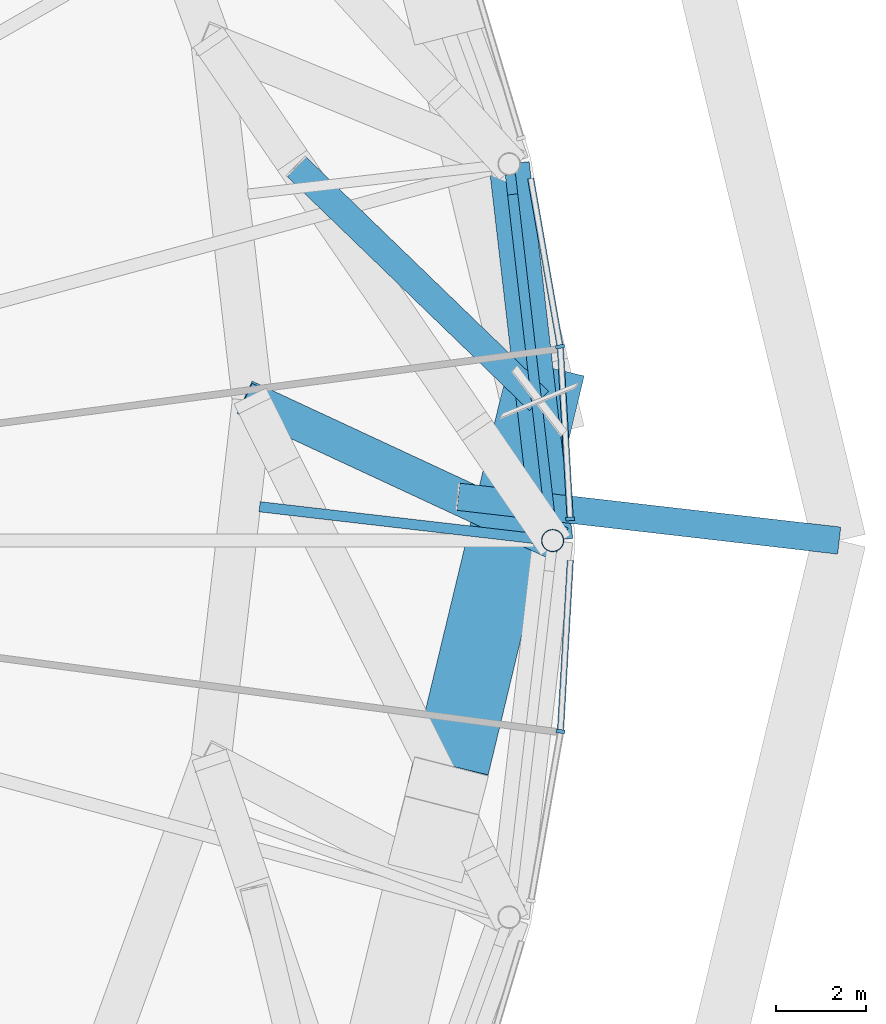
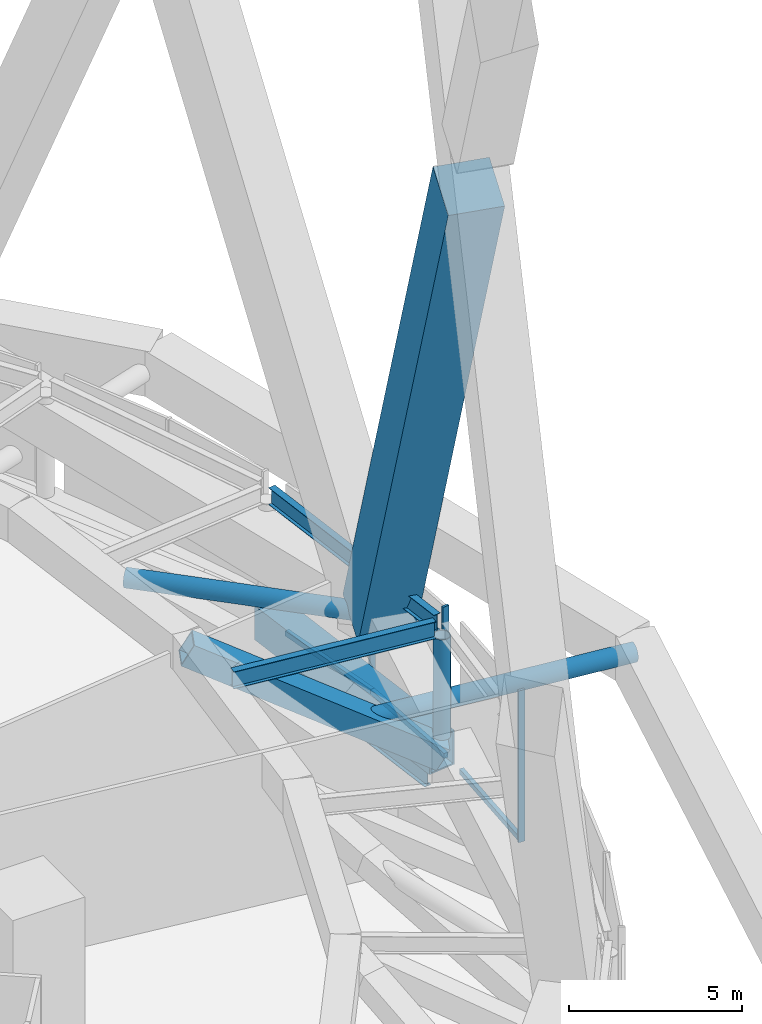
# One storey, part 26 of 51: 10 members, 5 beams, 3 elements without a shape of their own.
"""IFC4 building model written with IfcOpenShell, lengths in metres."""

import ifcopenshell
import ifcopenshell.guid

model = None  # the IFC model being written
_history = None  # IfcOwnerHistory: only IFC2X3 demands one
_inside = {}  # id of a spatial element -> (the spatial element, [elements in it])
_under = {}  # id of a project, library or spatial element -> (it, [spatial elements below it])
_declared = {}  # id of a project -> (the project, [libraries it declares])
_typed = {}  # id of a type object -> (the type object, [elements of that type])
_made_of = {}  # id of a material, layer set ... -> (it, [elements and type objects made of it])


def new_model(schema):
    """Start an empty IFC model of exactly this schema.

    Asked for "IFC4X3", IfcOpenShell would pick the latest addendum, in which some entities
    have other attributes; the version numbers below select the first issue.
    IFC2X3 requires an IfcOwnerHistory on every rooted entity: one is made here for all.
    """
    global model, _history
    if schema == "IFC4X3":
        model = ifcopenshell.file(schema_version=(4, 3, 0, 0))
    else:
        model = ifcopenshell.file(schema=schema)
    _inside.clear()
    _under.clear()
    _declared.clear()
    _typed.clear()
    _made_of.clear()
    _history = None
    if model.schema == "IFC2X3":
        org = make("IfcOrganization", Name="unknown")
        user = make(
            "IfcPersonAndOrganization",
            ThePerson=make("IfcPerson", FamilyName="unknown"),
            TheOrganization=org,
        )
        app = make(
            "IfcApplication",
            ApplicationDeveloper=org,
            Version="unknown",
            ApplicationFullName="unknown",
            ApplicationIdentifier="unknown",
        )
        _history = make(
            "IfcOwnerHistory",
            OwningUser=user,
            OwningApplication=app,
            ChangeAction="ADDED",
            CreationDate=0,
        )
    return model


def make(cls, **values):
    """One entity of the class cls with the attributes given. An attribute that is None is left unset."""
    return model.create_entity(
        cls, **{name: value for name, value in values.items() if value is not None}
    )


def rooted(cls, **values):
    """An entity with a GlobalId (a new one), such as an element, a storey or a relation."""
    return make(cls, GlobalId=ifcopenshell.guid.new(), OwnerHistory=_history, **values)


def si_unit(unit_type, name, prefix=None):
    """IfcSIUnit, for example si_unit("LENGTHUNIT", "METRE", prefix="MILLI")."""
    return make("IfcSIUnit", UnitType=unit_type, Prefix=prefix, Name=name)


def assignment(units):
    """IfcUnitAssignment: the units of a project."""
    return None if units is None else make("IfcUnitAssignment", Units=units)


def point(xyz):
    """IfcCartesianPoint."""
    return None if xyz is None else make("IfcCartesianPoint", Coordinates=xyz)


def direction(xyz):
    """IfcDirection."""
    return None if xyz is None else make("IfcDirection", DirectionRatios=xyz)


def frame(location, z_axis=None, x_axis=None):
    """IfcAxis2Placement3D, a coordinate frame: its origin and axes. An axis left out is left unset."""
    return make(
        "IfcAxis2Placement3D",
        Location=point(location),
        Axis=direction(z_axis),
        RefDirection=direction(x_axis),
    )


def frame_2d(location, x_axis=None):
    """IfcAxis2Placement2D, a coordinate frame in the plane: its origin and x axis."""
    return make(
        "IfcAxis2Placement2D", Location=point(location), RefDirection=direction(x_axis)
    )


def origin():
    """The frame at (0, 0, 0) with its axes left unset."""
    return frame((0.0, 0.0, 0.0))


def origin_2d():
    """The frame at (0, 0) in the plane with its x axis left unset."""
    return frame_2d((0.0, 0.0))


def place(relative_to, where):
    """IfcLocalPlacement: puts the frame where relative to a parent placement (None: the world)."""
    return make(
        "IfcLocalPlacement", PlacementRelTo=relative_to, RelativePlacement=where
    )


def context(
    kind, dimensions, precision=None, world=None, true_north=None, identifier=None
):
    """IfcGeometricRepresentationContext, for example the 3D "Model" context."""
    return make(
        "IfcGeometricRepresentationContext",
        ContextIdentifier=identifier,
        ContextType=kind,
        CoordinateSpaceDimension=dimensions,
        Precision=precision,
        WorldCoordinateSystem=world,
        TrueNorth=true_north,
    )


def subcontext(parent, identifier, kind, view, scale=None):
    """IfcGeometricRepresentationSubContext, for example "Body" below "Model"."""
    return make(
        "IfcGeometricRepresentationSubContext",
        ContextIdentifier=identifier,
        ContextType=kind,
        ParentContext=parent,
        TargetScale=scale,
        TargetView=view,
    )


def project(units=None, contexts=None):
    """IfcProject with its units and contexts."""
    return rooted(
        "IfcProject",
        Name="project",
        RepresentationContexts=contexts,
        UnitsInContext=assignment(units),
    )


def spatial(cls, under=None, at=None, **own):
    """A site, building, storey or space (cls), placed at a placement, below another one or the project."""
    s = rooted(cls, ObjectPlacement=at, **own)
    if under is not None:
        _under.setdefault(under.id(), (under, []))[1].append(s)
    return s


def profile(cls, at=None, kind="AREA", **sizes):
    """A parametric profile (cls). Its sizes go by their IFC names, for example OverallWidth=200.0."""
    return make(cls, ProfileType=kind, Position=at, **sizes)


def rectangle(**sizes):
    """IfcRectangleProfileDef."""
    return profile("IfcRectangleProfileDef", **sizes)


def hollow_rectangle(**sizes):
    """IfcRectangleHollowProfileDef."""
    return profile("IfcRectangleHollowProfileDef", **sizes)


def hollow_circle(**sizes):
    """IfcCircleHollowProfileDef."""
    return profile("IfcCircleHollowProfileDef", **sizes)


def i_section(**sizes):
    """IfcIShapeProfileDef."""
    return profile("IfcIShapeProfileDef", **sizes)


def extrude(swept, where, along, depth):
    """IfcExtrudedAreaSolid: the profile swept, set in the frame where, extruded along a direction by depth."""
    return make(
        "IfcExtrudedAreaSolid",
        SweptArea=swept,
        Position=where,
        ExtrudedDirection=direction(along),
        Depth=depth,
    )


def shape(context_of_items, identifier, shape_type, items):
    """IfcShapeRepresentation: the items that make up one representation, for example the "Body"."""
    return make(
        "IfcShapeRepresentation",
        ContextOfItems=context_of_items,
        RepresentationIdentifier=identifier,
        RepresentationType=shape_type,
        Items=items,
    )


def material(Name=None, Category=None):
    """IfcMaterial."""
    return make("IfcMaterial", Name=Name, Category=Category)


def layer(
    of_material, thickness, ventilated=None, Name=None, Category=None, Priority=None
):
    """IfcMaterialLayer: one layer of a wall or slab, of a material (None: an air gap)."""
    return make(
        "IfcMaterialLayer",
        Material=of_material,
        LayerThickness=thickness,
        IsVentilated=ventilated,
        Name=Name,
        Category=Category,
        Priority=Priority,
    )


def layer_set(layers, Name=None):
    """IfcMaterialLayerSet."""
    return make("IfcMaterialLayerSet", MaterialLayers=layers, LayerSetName=Name)


def material_profile(
    of_material, cross_section, Name=None, Category=None, Priority=None
):
    """IfcMaterialProfile: a cross section and its material."""
    return make(
        "IfcMaterialProfile",
        Name=Name,
        Material=of_material,
        Profile=cross_section,
        Priority=Priority,
        Category=Category,
    )


def profile_set(profiles, Name=None, composite=None):
    """IfcMaterialProfileSet."""
    return make(
        "IfcMaterialProfileSet",
        Name=Name,
        MaterialProfiles=profiles,
        CompositeProfile=composite,
    )


def made_of(thing, what):
    """Note that an element or type object is made of a material, layer set ...; save() writes the relation."""
    if what is not None:
        _made_of.setdefault(what.id(), (what, []))[1].append(thing)
    return thing


def type_object(cls, material=None, **own):
    """A type object (cls), such as IfcWallType, which elements share."""
    return made_of(rooted(cls, **own), material)


def element(
    cls,
    number,
    at=None,
    inside=None,
    cuts=None,
    type_object=None,
    material=None,
    context=None,
    identifier="Body",
    shape_type=None,
    held_by="IfcProductDefinitionShape",
    body=None,
    shapes=None,
    **own,
):
    """One element of the class cls, such as IfcWall. Its Tag is "e" and its number.

    at: its placement. inside: the storey or other place that contains it. cuts: it is an
    opening in that element (IfcRelVoidsElement). A single representation is given by context,
    identifier, shape_type and body (its items); several are given by shapes. held_by: the class
    of the entity that holds the representations. save() writes the other relations.
    """
    e = rooted(cls, Tag="e%d" % number, ObjectPlacement=at, **own)
    if body is not None:
        shapes = [shape(context, identifier, shape_type, body)]
    if shapes is not None:
        e.Representation = make(held_by, Representations=shapes)
    if inside is not None:
        _inside.setdefault(inside.id(), (inside, []))[1].append(e)
    if cuts is not None:
        rooted(
            "IfcRelVoidsElement", RelatingBuildingElement=cuts, RelatedOpeningElement=e
        )
    if type_object is not None:
        _typed.setdefault(type_object.id(), (type_object, []))[1].append(e)
    return made_of(e, material)


def aggregate(whole, parts):
    """IfcRelAggregates: a whole, such as a stair, and the parts it consists of."""
    return rooted("IfcRelAggregates", RelatingObject=whole, RelatedObjects=parts)


def save(model, path):
    """Write the relations noted so far, then the file.

    IfcRelAggregates (storeys below a building ...), IfcRelContainedInSpatialStructure (elements
    in a storey), IfcRelDefinesByType, IfcRelAssociatesMaterial and IfcRelDeclares: one each for
    every whole, place, type object, material and project.
    """
    for whole, parts in _under.values():
        aggregate(whole, parts)
    for where, things in _inside.values():
        rooted(
            "IfcRelContainedInSpatialStructure",
            RelatedElements=things,
            RelatingStructure=where,
        )
    for kind, things in _typed.values():
        rooted("IfcRelDefinesByType", RelatedObjects=things, RelatingType=kind)
    for what, things in _made_of.values():
        rooted("IfcRelAssociatesMaterial", RelatedObjects=things, RelatingMaterial=what)
    for by, libraries in _declared.values():
        rooted("IfcRelDeclares", RelatingContext=by, RelatedDefinitions=libraries)
    model.write(path)


model = new_model("IFC4")

# Units and contexts
model_context = context("Model", 3, precision=1e-05, world=origin(), true_north=direction((0.0, 1.0)))
body_context = subcontext(model_context, "Body", "Model", "MODEL_VIEW")
ifc_project = project(units=[si_unit("LENGTHUNIT", "METRE"), si_unit("AREAUNIT", "SQUARE_METRE"), si_unit("VOLUMEUNIT", "CUBIC_METRE"), si_unit("PLANEANGLEUNIT", "RADIAN"), si_unit("MASSUNIT", "GRAM", prefix="KILO")], contexts=[model_context])

# Site, building, storey
site_placement = place(None, origin())
site = spatial("IfcSite", under=ifc_project, at=site_placement, CompositionType="ELEMENT")
building_placement = place(site_placement, origin())
building = spatial("IfcBuilding", under=site, at=building_placement, Name="Nagisa Residences", CompositionType="ELEMENT")
storey_placement = place(building_placement, frame((0.0, 0.0, 67.699951171875)))
storey = spatial("IfcBuildingStorey", under=building, at=storey_placement, Name="L16", CompositionType="ELEMENT", Elevation=67.699951171875)

# Beams
ifc_material_1 = material(Name="Steel ASTM A572 Gr 50", Category="steel")
ifc_material_profile_1 = material_profile(ifc_material_1, hollow_rectangle(XDim=0.89990234375, YDim=1.199951171875, WallThickness=0.050048828125, at=origin_2d()), Name="BX 900x1200x50")
ifc_profile_set_1 = profile_set([ifc_material_profile_1], Name="Steel ASTM A572 Gr 50")
beam_type_1 = type_object("IfcBeamType", Name="Belt chord 1 BX 900x1200x50", PredefinedType="BEAM", material=ifc_profile_set_1)
beam_1_placement = place(storey_placement, frame((32.10009765625, 0.0, 0.60009765625), z_axis=(-0.114696336662, 0.993400599132, 0.0), x_axis=(-0.993400599132, -0.114696336662, 0.0)))
element("IfcBeam", 1, at=beam_1_placement, inside=storey, type_object=beam_type_1, Name="beam:L16:bt1b01", PredefinedType="BEAM", context=body_context, shape_type="SweptSolid", body=[
    extrude(hollow_rectangle(XDim=0.89990234375, YDim=1.199951171875, WallThickness=0.050048828125, at=origin_2d()), origin(), (0.0, 0.0, 1.0), 8.467529296875),
])
ifc_material_2 = material(Name="Steel ASTM A572 Gr 50", Category="steel")
ifc_material_profile_2 = material_profile(ifc_material_2, hollow_rectangle(XDim=0.800048828125, YDim=0.800048828125, WallThickness=0.044921875, at=origin_2d()), Name="BX 800x800x45")
ifc_profile_set_2 = profile_set([ifc_material_profile_2], Name="Steel ASTM A572 Gr 50")
beam_type_2 = type_object("IfcBeamType", Name="Belt diagonal 1 BX 800x800x45", PredefinedType="BEAM", material=ifc_profile_set_2)
beam_2_placement = place(storey_placement, frame((32.10009765625, 0.0, 0.60009765625), z_axis=(-0.791208899697, 0.36789024356, 0.488513301491), x_axis=(-0.421623431432, -0.906771019645, 0.0)))
element("IfcBeam", 2, at=beam_2_placement, inside=storey, type_object=beam_type_2, Name="beam:L16:bt1da01", PredefinedType="BEAM", context=body_context, shape_type="SweptSolid", body=[
    extrude(hollow_rectangle(XDim=0.800048828125, YDim=0.800048828125, WallThickness=0.044921875, at=origin_2d()), origin(), (0.0, 0.0, 1.0), 8.474365234375),
])

# Curtain wall, member
ifc_material_3 = material(Name="Aluminium curtain wall system", Category="aluminium")
ifc_layer = layer(ifc_material_3, 0.159912109375)
ifc_layer_set = layer_set([ifc_layer], Name="CW2 CURTAIN WALL")
curtain_wall_type = type_object("IfcCurtainWallType", Name="CW2 CURTAIN WALL", PredefinedType="NOTDEFINED", material=ifc_layer_set)
curtain_wall_1_placement = place(storey_placement, origin())
curtain_wall_1 = element("IfcCurtainWall", 3, at=curtain_wall_1_placement, inside=storey, type_object=curtain_wall_type, Name="cw:CW2:L16:00", PredefinedType="NOTDEFINED")
ifc_material_4 = material(Name="Aluminium", Category="aluminium")
ifc_material_profile_3 = material_profile(ifc_material_4, rectangle(XDim=0.199951171875, YDim=0.080078125, at=origin_2d()), Name="CW2 MULLION 200x80")
ifc_profile_set_3 = profile_set([ifc_material_profile_3], Name="Aluminium")
member_type_1 = type_object("IfcMemberType", Name="CW2 MULLION 200x80", PredefinedType="MULLION", material=ifc_profile_set_3)
member_1_placement = place(storey_placement, frame((32.491943359375, 0.484619140625, 0.0), z_axis=(0.0, 0.0, 1.0), x_axis=(-0.998345305184, -0.057503492216, 0.0)))
member_1 = element("IfcMember", 4, at=member_1_placement, type_object=member_type_1, Name="CW2 mullion", PredefinedType="MULLION", context=body_context, shape_type="SweptSolid", body=[
    extrude(rectangle(XDim=0.199951171875, YDim=0.080078125, at=origin_2d()), origin(), (0.0, 0.0, 1.0), 5.340087890625),
])

curtain_wall_2_placement = place(storey_placement, origin())
curtain_wall_2 = element("IfcCurtainWall", 5, at=curtain_wall_2_placement, inside=storey, type_object=curtain_wall_type, Name="cw:CW2:L16:01", PredefinedType="NOTDEFINED")
member_2_placement = place(storey_placement, frame((32.26611328125, 4.3330078125, 0.0), z_axis=(0.0, 0.0, 1.0), x_axis=(-0.985063604377, -0.172190868898, 0.0)))
member_2 = element("IfcMember", 6, at=member_2_placement, type_object=member_type_1, Name="CW2 mullion", PredefinedType="MULLION", context=body_context, shape_type="SweptSolid", body=[
    extrude(rectangle(XDim=0.199951171875, YDim=0.080078125, at=origin_2d()), origin(), (0.0, 0.0, 1.0), 5.340087890625),
])

curtain_wall_3_placement = place(storey_placement, origin())
curtain_wall_3 = element("IfcCurtainWall", 7, at=curtain_wall_3_placement, inside=storey, type_object=curtain_wall_type, Name="cw:CW2:L16:47", PredefinedType="NOTDEFINED")
member_3_placement = place(storey_placement, frame((32.2744140625, -4.262939453125, 0.0), z_axis=(0.0, 0.0, 1.0), x_axis=(-0.998345305184, 0.057503492216, 0.0)))
member_3 = element("IfcMember", 8, at=member_3_placement, type_object=member_type_1, Name="CW2 mullion", PredefinedType="MULLION", context=body_context, shape_type="SweptSolid", body=[
    extrude(rectangle(XDim=0.199951171875, YDim=0.080078125, at=origin_2d()), origin(), (0.0, 0.0, 1.0), 5.340087890625),
])

# Member
ifc_material_5 = material(Name="Aluminium", Category="aluminium")
ifc_material_profile_4 = material_profile(ifc_material_5, rectangle(XDim=0.139892578125, YDim=0.179931640625, at=origin_2d()), Name="CW2 TRANSOM 140x180")
ifc_profile_set_4 = profile_set([ifc_material_profile_4], Name="Aluminium")
member_type_2 = type_object("IfcMemberType", Name="CW2 TRANSOM 140x180", PredefinedType="USERDEFINED", material=ifc_profile_set_4)
member_4_placement = place(storey_placement, frame((32.494140625, 0.444580078125, 0.090087890625), z_axis=(-0.057488767917, 0.998346153177, 0.0), x_axis=(-0.998346153177, -0.057488767917, 0.0)))
member_4 = element("IfcMember", 9, at=member_4_placement, type_object=member_type_2, Name="CW2 transom", ObjectType="TRANSOM", PredefinedType="USERDEFINED", context=body_context, shape_type="SweptSolid", body=[
    extrude(rectangle(XDim=0.139892578125, YDim=0.179931640625, at=origin_2d()), origin(), (0.0, 0.0, 1.0), 3.864501953125),
])

aggregate(curtain_wall_1, [member_1, member_4])

member_5_placement = place(storey_placement, frame((32.273193359375, 4.293701171875, 0.090087890625), z_axis=(-0.172203330757, 0.985061425941, 0.0), x_axis=(-0.985061425941, -0.172203330757, 0.0)))
member_5 = element("IfcMember", 10, at=member_5_placement, type_object=member_type_2, Name="CW2 transom", ObjectType="TRANSOM", PredefinedType="USERDEFINED", context=body_context, shape_type="SweptSolid", body=[
    extrude(rectangle(XDim=0.139892578125, YDim=0.179931640625, at=origin_2d()), origin(), (0.0, 0.0, 1.0), 3.84765625),
])

aggregate(curtain_wall_2, [member_2, member_5])

member_6_placement = place(storey_placement, frame((32.27197265625, -4.302734375, 0.090087890625), z_axis=(0.057488767917, 0.998346153177, 0.0), x_axis=(-0.998346153177, 0.057488767917, 0.0)))
member_6 = element("IfcMember", 11, at=member_6_placement, type_object=member_type_2, Name="CW2 transom", ObjectType="TRANSOM", PredefinedType="USERDEFINED", context=body_context, shape_type="SweptSolid", body=[
    extrude(rectangle(XDim=0.139892578125, YDim=0.179931640625, at=origin_2d()), origin(), (0.0, 0.0, 1.0), 3.864501953125),
])

aggregate(curtain_wall_3, [member_3, member_6])

# Members
ifc_material_6 = material(Name="Concrete C80", Category="concrete")
ifc_material_profile_5 = material_profile(ifc_material_6, rectangle(XDim=1.699951171875, YDim=1.699951171875, at=origin_2d()), Name="C80 1700x1700")
ifc_profile_set_5 = profile_set([ifc_material_profile_5], Name="Concrete C80")
member_type_3 = type_object("IfcMemberType", Name="Cage diagonal 2 C80 1700x1700", PredefinedType="BRACE", material=ifc_profile_set_5)
member_7_placement = place(storey_placement, frame((31.794921875, 3.11767578125, 3.699951171875), z_axis=(-0.092828376876, -0.385870468551, 0.91787083729), x_axis=(0.972261675328, -0.233895777405, 0.0)))
element("IfcMember", 12, at=member_7_placement, inside=storey, type_object=member_type_3, Name="mem:L16:cg2d024a", PredefinedType="BRACE", context=body_context, shape_type="SweptSolid", body=[
    extrude(rectangle(XDim=1.699951171875, YDim=1.699951171875, at=origin_2d()), origin(), (0.0, 0.0, 1.0), 23.09423828125),
])
ifc_material_7 = material(Name="Steel ASTM A572 Gr 65", Category="steel")
ifc_material_profile_6 = material_profile(ifc_material_7, hollow_circle(Radius=0.304931640625, WallThickness=0.02490234375, at=origin_2d()), Name="CHS 610x25")
ifc_profile_set_6 = profile_set([ifc_material_profile_6], Name="Steel ASTM A572 Gr 65")
member_type_4 = type_object("IfcMemberType", Name="Cage strut CHS 610x25", PredefinedType="STRUT", material=ifc_profile_set_6)
member_8_placement = place(storey_placement, frame((38.5, 0.0, 1.900146484375), z_axis=(-0.993440619285, 0.11434918432, 0.0), x_axis=(-0.11434918432, -0.993440619285, 0.0)))
element("IfcMember", 13, at=member_8_placement, inside=storey, type_object=member_type_4, Name="mem:L16:bt1st1a01", PredefinedType="STRUT", context=body_context, shape_type="SweptSolid", body=[
    extrude(hollow_circle(Radius=0.304931640625, WallThickness=0.02490234375, at=origin_2d()), origin(), (0.0, 0.0, 1.0), 8.5615234375),
])
member_9_placement = place(storey_placement, frame((31.794921875, 3.11767578125, 3.699951171875), z_axis=(-0.719092703053, 0.694914156148, 0.0), x_axis=(-0.694914156148, -0.719092703053, 0.0)))
element("IfcMember", 14, at=member_9_placement, inside=storey, type_object=member_type_4, Name="mem:L16:bt1st2b01", PredefinedType="STRUT", context=body_context, shape_type="SweptSolid", body=[
    extrude(hollow_circle(Radius=0.304931640625, WallThickness=0.02490234375, at=origin_2d()), origin(), (0.0, 0.0, 1.0), 7.5224609375),
])

# Beam
ifc_material_8 = material(Name="Steel ASTM A572 Gr 50", Category="steel")
ifc_material_profile_7 = material_profile(ifc_material_8, i_section(OverallWidth=0.22802734375, OverallDepth=0.60302734375, WebThickness=0.010498046875, FlangeThickness=0.014892578125, at=origin_2d()), Name="W610x101")
ifc_profile_set_7 = profile_set([ifc_material_profile_7], Name="Steel ASTM A572 Gr 50")
beam_type_3 = type_object("IfcBeamType", Name="Garden edge beam W610x101", PredefinedType="BEAM", material=ifc_profile_set_7)
beam_3_placement = place(storey_placement, frame((32.0732421875, 0.232421875, 5.03857421875), z_axis=(-0.114691294599, 0.993401181267, 0.0), x_axis=(-0.993401181267, -0.114691294599, 0.0)))
element("IfcBeam", 15, at=beam_3_placement, inside=storey, type_object=beam_type_3, Name="beam:L16:bt1ge01", PredefinedType="BEAM", context=body_context, shape_type="SweptSolid", body=[
    extrude(i_section(OverallWidth=0.22802734375, OverallDepth=0.60302734375, WebThickness=0.010498046875, FlangeThickness=0.014892578125, at=origin_2d()), origin(), (0.0, 0.0, 1.0), 7.99951171875),
])

# Member
ifc_material_9 = material(Name="Steel ASTM A572 Gr 65", Category="steel")
ifc_material_profile_8 = material_profile(ifc_material_9, hollow_circle(Radius=0.25390625, WallThickness=0.02001953125, at=origin_2d()), Name="CHS 508x20")
ifc_profile_set_8 = profile_set([ifc_material_profile_8], Name="Steel ASTM A572 Gr 65")
member_type_5 = type_object("IfcMemberType", Name="Garden edge post CHS 508x20", PredefinedType="POST", material=ifc_profile_set_8)
member_10_placement = place(storey_placement, frame((32.10009765625, 0.0, 1.199951171875), z_axis=(0.0, 0.0, 1.0), x_axis=(1.0, 0.0, 0.0)))
element("IfcMember", 16, at=member_10_placement, inside=storey, type_object=member_type_5, Name="mem:L16:gp101", PredefinedType="POST", context=body_context, shape_type="SweptSolid", body=[
    extrude(hollow_circle(Radius=0.25390625, WallThickness=0.02001953125, at=origin_2d()), origin(), (0.0, 0.0, 1.0), 3.537109375),
])

# Beams
ifc_material_10 = material(Name="Steel ASTM A572 Gr 50", Category="steel")
ifc_material_profile_9 = material_profile(ifc_material_10, i_section(OverallWidth=0.22802734375, OverallDepth=0.60302734375, WebThickness=0.010498046875, FlangeThickness=0.014892578125, at=origin_2d()), Name="W610x101")
ifc_profile_set_9 = profile_set([ifc_material_profile_9], Name="Steel ASTM A572 Gr 50")
beam_type_4 = type_object("IfcBeamType", Name="Garden radial beam W610x101", PredefinedType="BEAM", material=ifc_profile_set_9)
beam_4_placement = place(storey_placement, frame((31.867431640625, 0.02685546875, 5.03857421875), z_axis=(-0.99340136148, 0.114689733669, 0.0), x_axis=(-0.114689733669, -0.99340136148, 0.0)))
element("IfcBeam", 17, at=beam_4_placement, inside=storey, type_object=beam_type_4, Name="beam:L16:bt1gr01", PredefinedType="BEAM", context=body_context, shape_type="SweptSolid", body=[
    extrude(i_section(OverallWidth=0.22802734375, OverallDepth=0.60302734375, WebThickness=0.010498046875, FlangeThickness=0.014892578125, at=origin_2d()), origin(), (0.0, 0.0, 1.0), 6.354248046875),
])
ifc_material_11 = material(Name="Steel ASTM A572 Gr 50", Category="steel")
ifc_material_profile_10 = material_profile(ifc_material_11, i_section(OverallWidth=0.22900390625, OverallDepth=0.612060546875, WebThickness=0.011962890625, FlangeThickness=0.01953125, at=origin_2d()), Name="W610x125")
ifc_profile_set_10 = profile_set([ifc_material_profile_10], Name="Steel ASTM A572 Gr 50")
beam_type_5 = type_object("IfcBeamType", Name="Perimeter ring beam W610x125", PredefinedType="BEAM", material=ifc_profile_set_10)
beam_5_placement = place(storey_placement, frame((32.021484375, 0.68017578125, -0.656005859375), z_axis=(-0.114673717321, 0.993403210462, 0.0), x_axis=(-0.993403210462, -0.114673717321, 0.0)))
element("IfcBeam", 18, at=beam_5_placement, inside=storey, type_object=beam_type_5, Name="beam:L16:pb01", PredefinedType="BEAM", context=body_context, shape_type="SweptSolid", body=[
    extrude(i_section(OverallWidth=0.22900390625, OverallDepth=0.612060546875, WebThickness=0.011962890625, FlangeThickness=0.01953125, at=origin_2d()), origin(), (0.0, 0.0, 1.0), 7.09814453125),
])

save(model, "model.ifc")
